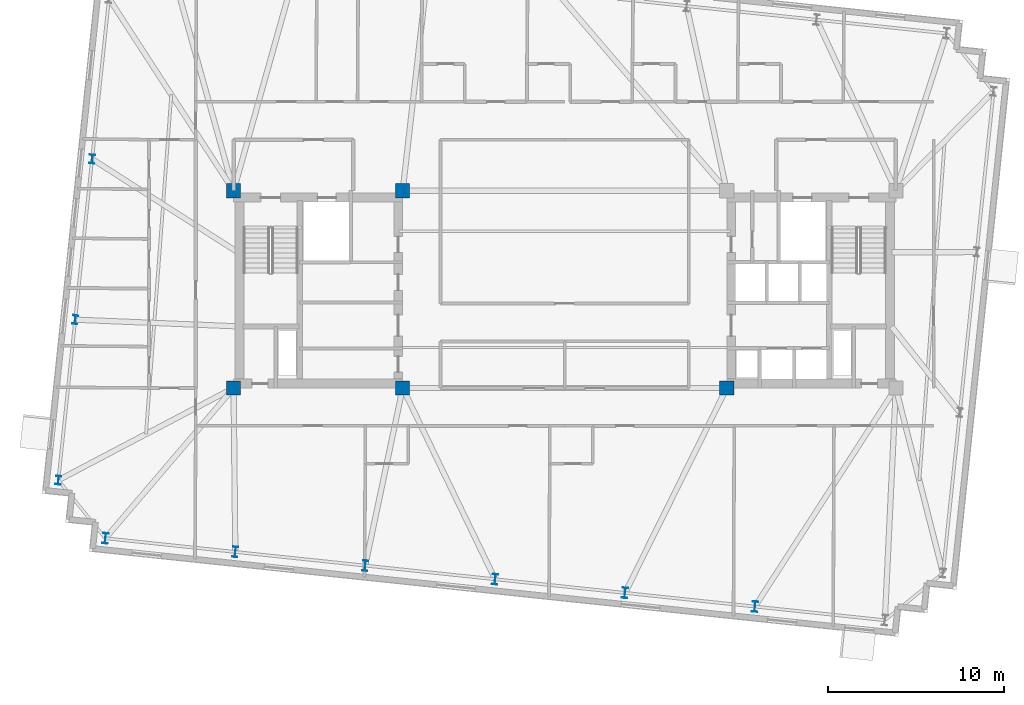
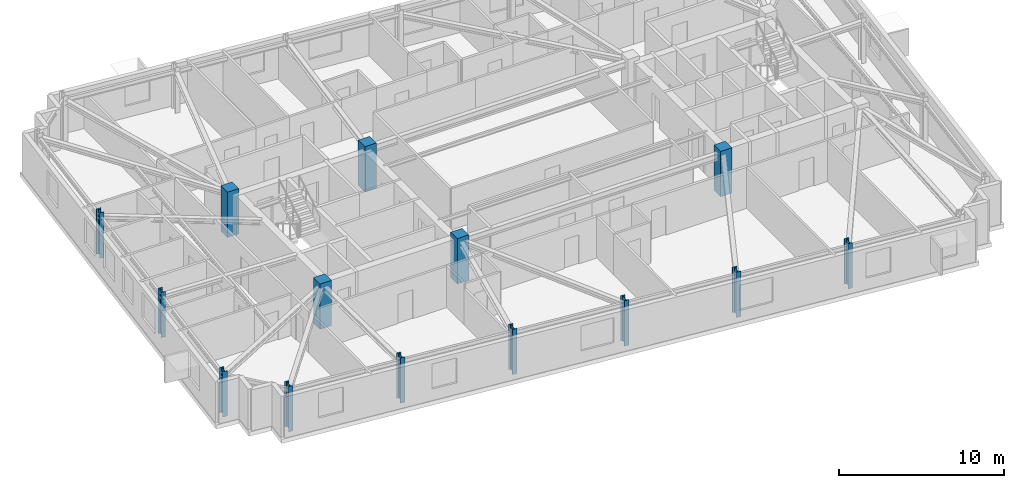
# One storey, part 1 of 12: 14 columns.
"""IFC4 building model written with IfcOpenShell, lengths in metres."""

import ifcopenshell
import ifcopenshell.guid

model = None  # the IFC model being written
_history = None  # IfcOwnerHistory: only IFC2X3 demands one
_inside = {}  # id of a spatial element -> (the spatial element, [elements in it])
_under = {}  # id of a project, library or spatial element -> (it, [spatial elements below it])
_declared = {}  # id of a project -> (the project, [libraries it declares])
_typed = {}  # id of a type object -> (the type object, [elements of that type])
_made_of = {}  # id of a material, layer set ... -> (it, [elements and type objects made of it])


def new_model(schema):
    """Start an empty IFC model of exactly this schema.

    Asked for "IFC4X3", IfcOpenShell would pick the latest addendum, in which some entities
    have other attributes; the version numbers below select the first issue.
    IFC2X3 requires an IfcOwnerHistory on every rooted entity: one is made here for all.
    """
    global model, _history
    if schema == "IFC4X3":
        model = ifcopenshell.file(schema_version=(4, 3, 0, 0))
    else:
        model = ifcopenshell.file(schema=schema)
    _inside.clear()
    _under.clear()
    _declared.clear()
    _typed.clear()
    _made_of.clear()
    _history = None
    if model.schema == "IFC2X3":
        org = make("IfcOrganization", Name="unknown")
        user = make(
            "IfcPersonAndOrganization",
            ThePerson=make("IfcPerson", FamilyName="unknown"),
            TheOrganization=org,
        )
        app = make(
            "IfcApplication",
            ApplicationDeveloper=org,
            Version="unknown",
            ApplicationFullName="unknown",
            ApplicationIdentifier="unknown",
        )
        _history = make(
            "IfcOwnerHistory",
            OwningUser=user,
            OwningApplication=app,
            ChangeAction="ADDED",
            CreationDate=0,
        )
    return model


def make(cls, **values):
    """One entity of the class cls with the attributes given. An attribute that is None is left unset."""
    return model.create_entity(
        cls, **{name: value for name, value in values.items() if value is not None}
    )


def rooted(cls, **values):
    """An entity with a GlobalId (a new one), such as an element, a storey or a relation."""
    return make(cls, GlobalId=ifcopenshell.guid.new(), OwnerHistory=_history, **values)


def si_unit(unit_type, name, prefix=None):
    """IfcSIUnit, for example si_unit("LENGTHUNIT", "METRE", prefix="MILLI")."""
    return make("IfcSIUnit", UnitType=unit_type, Prefix=prefix, Name=name)


def assignment(units):
    """IfcUnitAssignment: the units of a project."""
    return None if units is None else make("IfcUnitAssignment", Units=units)


def point(xyz):
    """IfcCartesianPoint."""
    return None if xyz is None else make("IfcCartesianPoint", Coordinates=xyz)


def direction(xyz):
    """IfcDirection."""
    return None if xyz is None else make("IfcDirection", DirectionRatios=xyz)


def frame(location, z_axis=None, x_axis=None):
    """IfcAxis2Placement3D, a coordinate frame: its origin and axes. An axis left out is left unset."""
    return make(
        "IfcAxis2Placement3D",
        Location=point(location),
        Axis=direction(z_axis),
        RefDirection=direction(x_axis),
    )


def frame_2d(location, x_axis=None):
    """IfcAxis2Placement2D, a coordinate frame in the plane: its origin and x axis."""
    return make(
        "IfcAxis2Placement2D", Location=point(location), RefDirection=direction(x_axis)
    )


def origin():
    """The frame at (0, 0, 0) with its axes left unset."""
    return frame((0.0, 0.0, 0.0))


def origin_2d():
    """The frame at (0, 0) in the plane with its x axis left unset."""
    return frame_2d((0.0, 0.0))


def place(relative_to, where):
    """IfcLocalPlacement: puts the frame where relative to a parent placement (None: the world)."""
    return make(
        "IfcLocalPlacement", PlacementRelTo=relative_to, RelativePlacement=where
    )


def context(
    kind, dimensions, precision=None, world=None, true_north=None, identifier=None
):
    """IfcGeometricRepresentationContext, for example the 3D "Model" context."""
    return make(
        "IfcGeometricRepresentationContext",
        ContextIdentifier=identifier,
        ContextType=kind,
        CoordinateSpaceDimension=dimensions,
        Precision=precision,
        WorldCoordinateSystem=world,
        TrueNorth=true_north,
    )


def subcontext(parent, identifier, kind, view, scale=None):
    """IfcGeometricRepresentationSubContext, for example "Body" below "Model"."""
    return make(
        "IfcGeometricRepresentationSubContext",
        ContextIdentifier=identifier,
        ContextType=kind,
        ParentContext=parent,
        TargetScale=scale,
        TargetView=view,
    )


def project(units=None, contexts=None):
    """IfcProject with its units and contexts."""
    return rooted(
        "IfcProject",
        Name="project",
        RepresentationContexts=contexts,
        UnitsInContext=assignment(units),
    )


def spatial(cls, under=None, at=None, **own):
    """A site, building, storey or space (cls), placed at a placement, below another one or the project."""
    s = rooted(cls, ObjectPlacement=at, **own)
    if under is not None:
        _under.setdefault(under.id(), (under, []))[1].append(s)
    return s


def profile(cls, at=None, kind="AREA", **sizes):
    """A parametric profile (cls). Its sizes go by their IFC names, for example OverallWidth=200.0."""
    return make(cls, ProfileType=kind, Position=at, **sizes)


def rectangle(**sizes):
    """IfcRectangleProfileDef."""
    return profile("IfcRectangleProfileDef", **sizes)


def i_section(**sizes):
    """IfcIShapeProfileDef."""
    return profile("IfcIShapeProfileDef", **sizes)


def extrude(swept, where, along, depth):
    """IfcExtrudedAreaSolid: the profile swept, set in the frame where, extruded along a direction by depth."""
    return make(
        "IfcExtrudedAreaSolid",
        SweptArea=swept,
        Position=where,
        ExtrudedDirection=direction(along),
        Depth=depth,
    )


def shape(context_of_items, identifier, shape_type, items):
    """IfcShapeRepresentation: the items that make up one representation, for example the "Body"."""
    return make(
        "IfcShapeRepresentation",
        ContextOfItems=context_of_items,
        RepresentationIdentifier=identifier,
        RepresentationType=shape_type,
        Items=items,
    )


def material(Name=None, Category=None):
    """IfcMaterial."""
    return make("IfcMaterial", Name=Name, Category=Category)


def material_profile(
    of_material, cross_section, Name=None, Category=None, Priority=None
):
    """IfcMaterialProfile: a cross section and its material."""
    return make(
        "IfcMaterialProfile",
        Name=Name,
        Material=of_material,
        Profile=cross_section,
        Priority=Priority,
        Category=Category,
    )


def profile_set(profiles, Name=None, composite=None):
    """IfcMaterialProfileSet."""
    return make(
        "IfcMaterialProfileSet",
        Name=Name,
        MaterialProfiles=profiles,
        CompositeProfile=composite,
    )


def made_of(thing, what):
    """Note that an element or type object is made of a material, layer set ...; save() writes the relation."""
    if what is not None:
        _made_of.setdefault(what.id(), (what, []))[1].append(thing)
    return thing


def type_object(cls, material=None, **own):
    """A type object (cls), such as IfcWallType, which elements share."""
    return made_of(rooted(cls, **own), material)


def element(
    cls,
    number,
    at=None,
    inside=None,
    cuts=None,
    type_object=None,
    material=None,
    context=None,
    identifier="Body",
    shape_type=None,
    held_by="IfcProductDefinitionShape",
    body=None,
    shapes=None,
    **own,
):
    """One element of the class cls, such as IfcWall. Its Tag is "e" and its number.

    at: its placement. inside: the storey or other place that contains it. cuts: it is an
    opening in that element (IfcRelVoidsElement). A single representation is given by context,
    identifier, shape_type and body (its items); several are given by shapes. held_by: the class
    of the entity that holds the representations. save() writes the other relations.
    """
    e = rooted(cls, Tag="e%d" % number, ObjectPlacement=at, **own)
    if body is not None:
        shapes = [shape(context, identifier, shape_type, body)]
    if shapes is not None:
        e.Representation = make(held_by, Representations=shapes)
    if inside is not None:
        _inside.setdefault(inside.id(), (inside, []))[1].append(e)
    if cuts is not None:
        rooted(
            "IfcRelVoidsElement", RelatingBuildingElement=cuts, RelatedOpeningElement=e
        )
    if type_object is not None:
        _typed.setdefault(type_object.id(), (type_object, []))[1].append(e)
    return made_of(e, material)


def aggregate(whole, parts):
    """IfcRelAggregates: a whole, such as a stair, and the parts it consists of."""
    return rooted("IfcRelAggregates", RelatingObject=whole, RelatedObjects=parts)


def save(model, path):
    """Write the relations noted so far, then the file.

    IfcRelAggregates (storeys below a building ...), IfcRelContainedInSpatialStructure (elements
    in a storey), IfcRelDefinesByType, IfcRelAssociatesMaterial and IfcRelDeclares: one each for
    every whole, place, type object, material and project.
    """
    for whole, parts in _under.values():
        aggregate(whole, parts)
    for where, things in _inside.values():
        rooted(
            "IfcRelContainedInSpatialStructure",
            RelatedElements=things,
            RelatingStructure=where,
        )
    for kind, things in _typed.values():
        rooted("IfcRelDefinesByType", RelatedObjects=things, RelatingType=kind)
    for what, things in _made_of.values():
        rooted("IfcRelAssociatesMaterial", RelatedObjects=things, RelatingMaterial=what)
    for by, libraries in _declared.values():
        rooted("IfcRelDeclares", RelatingContext=by, RelatedDefinitions=libraries)
    model.write(path)


model = new_model("IFC4")

# Units and contexts
model_context = context("Model", 3, precision=1e-05, world=origin(), true_north=direction((0.0, 1.0)))
body_context = subcontext(model_context, "Body", "Model", "MODEL_VIEW")
ifc_project = project(units=[si_unit("LENGTHUNIT", "METRE"), si_unit("AREAUNIT", "SQUARE_METRE"), si_unit("VOLUMEUNIT", "CUBIC_METRE"), si_unit("PLANEANGLEUNIT", "RADIAN"), si_unit("MASSUNIT", "GRAM", prefix="KILO")], contexts=[model_context])

# Site, building, storey
site_placement = place(None, origin())
site = spatial("IfcSite", under=ifc_project, at=site_placement, CompositionType="ELEMENT")
building_placement = place(site_placement, origin())
building = spatial("IfcBuilding", under=site, at=building_placement, Name="Qobustan Lattice House", CompositionType="ELEMENT")
storey_placement = place(building_placement, frame((0.0, 0.0, 183.0)))
storey = spatial("IfcBuildingStorey", under=building, at=storey_placement, Name="L51", CompositionType="ELEMENT", Elevation=183.0)

# Columns
ifc_material_1 = material(Name="Concrete C50/60", Category="concrete")
ifc_material_profile_1 = material_profile(ifc_material_1, rectangle(XDim=0.800048828125, YDim=0.800048828125, at=origin_2d()), Name="RC800x800")
ifc_profile_set_1 = profile_set([ifc_material_profile_1], Name="Concrete C50/60")
column_type_1 = type_object("IfcColumnType", Name="COL-RC-800", PredefinedType="COLUMN", material=ifc_profile_set_1)
for number, where, z_axis, x_axis, name in (
    (1, (-18.800048828125, -5.60009765625, 0.0), (0.0, 0.0, 1.0), (1.0, 0.0, 0.0), "L51 core mega-column CW-SW"),
    (2, (-18.800048828125, 5.60009765625, 0.0), (0.0, 0.0, 1.0), (1.0, 0.0, 0.0), "L51 core mega-column CW-NW"),
    (3, (-9.199951171875, -5.60009765625, 0.0), (0.0, 0.0, 1.0), (1.0, 0.0, 0.0), "L51 core mega-column CW-SE"),
    (4, (-9.199951171875, 5.60009765625, 0.0), (0.0, 0.0, 1.0), (1.0, 0.0, 0.0), "L51 core mega-column CW-NE"),
    (5, (9.199951171875, -5.60009765625, 0.0), (0.0, 0.0, 1.0), (1.0, 0.0, 0.0), "L51 core mega-column CE-SW"),
):
    element("IfcColumn", number, at=place(storey_placement, frame(where, z_axis=z_axis, x_axis=x_axis)), inside=storey, type_object=column_type_1, Name=name, PredefinedType="COLUMN", context=body_context, shape_type="SweptSolid", body=[
        extrude(rectangle(XDim=0.800048828125, YDim=0.800048828125, at=origin_2d()), origin(), (0.0, 0.0, 1.0), 3.35009765625),
    ])
ifc_material_2 = material(Name="Steel S355", Category="steel")
ifc_material_profile_2 = material_profile(ifc_material_2, i_section(OverallWidth=0.300048828125, OverallDepth=0.5, WebThickness=0.014404296875, FlangeThickness=0.028076171875, FilletRadius=0.027099609375, at=origin_2d()), Name="HEB500")
ifc_profile_set_2 = profile_set([ifc_material_profile_2], Name="Steel S355")
column_type_2 = type_object("IfcColumnType", Name="COL-ST-HEB500", PredefinedType="COLUMN", material=ifc_profile_set_2)
for number, where, z_axis, x_axis, name in (
    (6, (-26.83251953125, 7.397705078125, 0.0), (0.0, 0.0, 1.0), (0.994521895368, -0.104528463268, 0.0), "L51 B4 perimeter column W2"),
    (7, (-27.790771484375, -1.718994140625, 0.0), (0.0, 0.0, 1.0), (0.994521895368, -0.104528463268, 0.0), "L51 B4 perimeter column W3"),
    (8, (-28.748779296875, -10.835205078125, 0.0), (0.0, 0.0, 1.0), (0.994521895368, -0.104528463268, 0.0), "L51 B4 perimeter column W4"),
):
    element("IfcColumn", number, at=place(storey_placement, frame(where, z_axis=z_axis, x_axis=x_axis)), inside=storey, type_object=column_type_2, Name=name, PredefinedType="COLUMN", context=body_context, shape_type="SweptSolid", body=[
        extrude(i_section(OverallWidth=0.300048828125, OverallDepth=0.5, WebThickness=0.014404296875, FlangeThickness=0.028076171875, FilletRadius=0.027099609375, at=origin_2d()), origin(), (0.0, 0.0, 1.0), 3.35009765625),
    ])
ifc_material_3 = material(Name="Steel S355", Category="steel")
ifc_material_profile_3 = material_profile(ifc_material_3, i_section(OverallWidth=0.300048828125, OverallDepth=0.60009765625, WebThickness=0.015380859375, FlangeThickness=0.030029296875, FilletRadius=0.027099609375, at=origin_2d()), Name="HEB600")
ifc_profile_set_3 = profile_set([ifc_material_profile_3], Name="Steel S355")
column_type_3 = type_object("IfcColumnType", Name="COL-ST-HEB600", PredefinedType="COLUMN", material=ifc_profile_set_3)
for number, where, z_axis, x_axis, name in (
    (9, (-26.0791015625, -14.132568359375, 0.0), (0.0, 0.0, 1.0), (0.994521895368, -0.104528463268, 0.0), "L51 B4 perimeter column S1"),
    (10, (-18.702880859375, -14.90771484375, 0.0), (0.0, 0.0, 1.0), (0.994521895368, -0.104528463268, 0.0), "L51 B4 perimeter column S2"),
    (11, (-11.326904296875, -15.68310546875, 0.0), (0.0, 0.0, 1.0), (0.994521895368, -0.104528463268, 0.0), "L51 B4 perimeter column S3"),
    (12, (-3.950927734375, -16.458251953125, 0.0), (0.0, 0.0, 1.0), (0.994521895368, -0.104528463268, 0.0), "L51 B4 perimeter column S4"),
    (13, (3.42529296875, -17.2333984375, 0.0), (0.0, 0.0, 1.0), (0.994521895368, -0.104528463268, 0.0), "L51 B4 perimeter column S5"),
    (14, (10.80126953125, -18.0087890625, 0.0), (0.0, 0.0, 1.0), (0.994521895368, -0.104528463268, 0.0), "L51 B4 perimeter column S6"),
):
    element("IfcColumn", number, at=place(storey_placement, frame(where, z_axis=z_axis, x_axis=x_axis)), inside=storey, type_object=column_type_3, Name=name, PredefinedType="COLUMN", context=body_context, shape_type="SweptSolid", body=[
        extrude(i_section(OverallWidth=0.300048828125, OverallDepth=0.60009765625, WebThickness=0.015380859375, FlangeThickness=0.030029296875, FilletRadius=0.027099609375, at=origin_2d()), origin(), (0.0, 0.0, 1.0), 3.35009765625),
    ])

save(model, "model.ifc")
